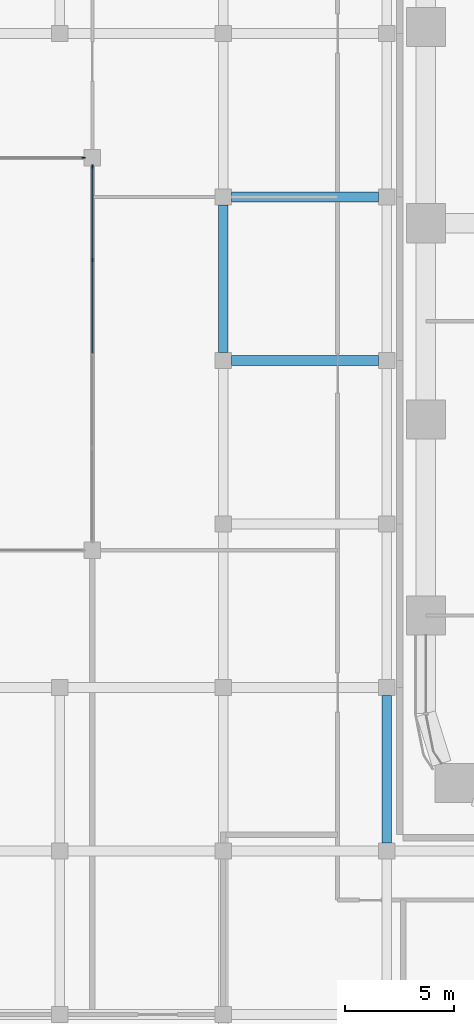
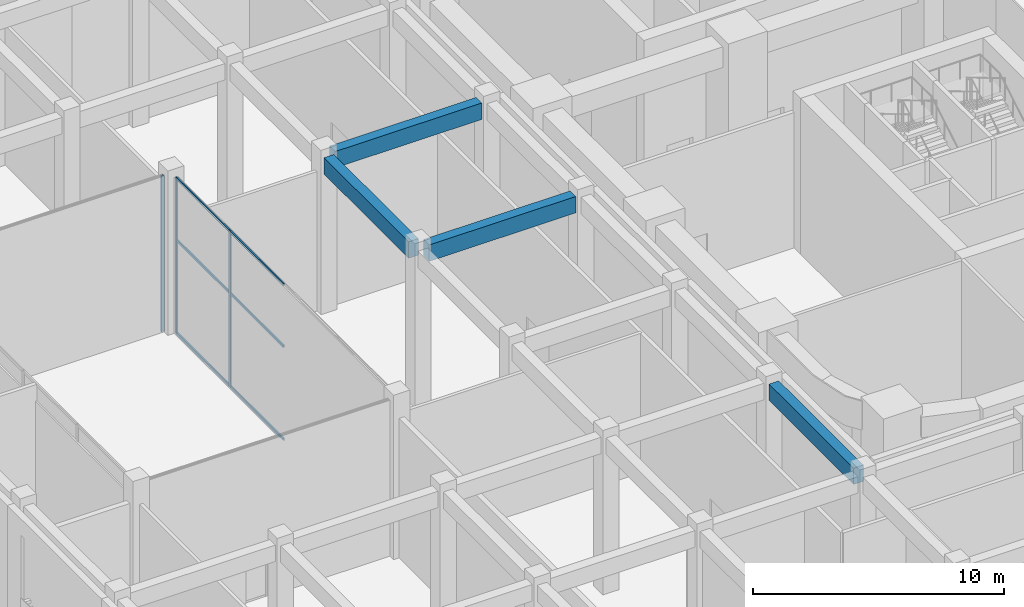
# One storey, part 10 of 64: 9 members, 4 beams, 2 elements without a shape of their own.
"""IFC4 building model written with IfcOpenShell, lengths in metres."""

import ifcopenshell
import ifcopenshell.guid

model = None  # the IFC model being written
_history = None  # IfcOwnerHistory: only IFC2X3 demands one
_inside = {}  # id of a spatial element -> (the spatial element, [elements in it])
_under = {}  # id of a project, library or spatial element -> (it, [spatial elements below it])
_declared = {}  # id of a project -> (the project, [libraries it declares])
_typed = {}  # id of a type object -> (the type object, [elements of that type])
_made_of = {}  # id of a material, layer set ... -> (it, [elements and type objects made of it])


def new_model(schema):
    """Start an empty IFC model of exactly this schema.

    Asked for "IFC4X3", IfcOpenShell would pick the latest addendum, in which some entities
    have other attributes; the version numbers below select the first issue.
    IFC2X3 requires an IfcOwnerHistory on every rooted entity: one is made here for all.
    """
    global model, _history
    if schema == "IFC4X3":
        model = ifcopenshell.file(schema_version=(4, 3, 0, 0))
    else:
        model = ifcopenshell.file(schema=schema)
    _inside.clear()
    _under.clear()
    _declared.clear()
    _typed.clear()
    _made_of.clear()
    _history = None
    if model.schema == "IFC2X3":
        org = make("IfcOrganization", Name="unknown")
        user = make(
            "IfcPersonAndOrganization",
            ThePerson=make("IfcPerson", FamilyName="unknown"),
            TheOrganization=org,
        )
        app = make(
            "IfcApplication",
            ApplicationDeveloper=org,
            Version="unknown",
            ApplicationFullName="unknown",
            ApplicationIdentifier="unknown",
        )
        _history = make(
            "IfcOwnerHistory",
            OwningUser=user,
            OwningApplication=app,
            ChangeAction="ADDED",
            CreationDate=0,
        )
    return model


def make(cls, **values):
    """One entity of the class cls with the attributes given. An attribute that is None is left unset."""
    return model.create_entity(
        cls, **{name: value for name, value in values.items() if value is not None}
    )


def rooted(cls, **values):
    """An entity with a GlobalId (a new one), such as an element, a storey or a relation."""
    return make(cls, GlobalId=ifcopenshell.guid.new(), OwnerHistory=_history, **values)


def si_unit(unit_type, name, prefix=None):
    """IfcSIUnit, for example si_unit("LENGTHUNIT", "METRE", prefix="MILLI")."""
    return make("IfcSIUnit", UnitType=unit_type, Prefix=prefix, Name=name)


def assignment(units):
    """IfcUnitAssignment: the units of a project."""
    return None if units is None else make("IfcUnitAssignment", Units=units)


def point(xyz):
    """IfcCartesianPoint."""
    return None if xyz is None else make("IfcCartesianPoint", Coordinates=xyz)


def direction(xyz):
    """IfcDirection."""
    return None if xyz is None else make("IfcDirection", DirectionRatios=xyz)


def frame(location, z_axis=None, x_axis=None):
    """IfcAxis2Placement3D, a coordinate frame: its origin and axes. An axis left out is left unset."""
    return make(
        "IfcAxis2Placement3D",
        Location=point(location),
        Axis=direction(z_axis),
        RefDirection=direction(x_axis),
    )


def frame_2d(location, x_axis=None):
    """IfcAxis2Placement2D, a coordinate frame in the plane: its origin and x axis."""
    return make(
        "IfcAxis2Placement2D", Location=point(location), RefDirection=direction(x_axis)
    )


def origin():
    """The frame at (0, 0, 0) with its axes left unset."""
    return frame((0.0, 0.0, 0.0))


def origin_2d():
    """The frame at (0, 0) in the plane with its x axis left unset."""
    return frame_2d((0.0, 0.0))


def place(relative_to, where):
    """IfcLocalPlacement: puts the frame where relative to a parent placement (None: the world)."""
    return make(
        "IfcLocalPlacement", PlacementRelTo=relative_to, RelativePlacement=where
    )


def context(
    kind, dimensions, precision=None, world=None, true_north=None, identifier=None
):
    """IfcGeometricRepresentationContext, for example the 3D "Model" context."""
    return make(
        "IfcGeometricRepresentationContext",
        ContextIdentifier=identifier,
        ContextType=kind,
        CoordinateSpaceDimension=dimensions,
        Precision=precision,
        WorldCoordinateSystem=world,
        TrueNorth=true_north,
    )


def subcontext(parent, identifier, kind, view, scale=None):
    """IfcGeometricRepresentationSubContext, for example "Body" below "Model"."""
    return make(
        "IfcGeometricRepresentationSubContext",
        ContextIdentifier=identifier,
        ContextType=kind,
        ParentContext=parent,
        TargetScale=scale,
        TargetView=view,
    )


def project(units=None, contexts=None):
    """IfcProject with its units and contexts."""
    return rooted(
        "IfcProject",
        Name="project",
        RepresentationContexts=contexts,
        UnitsInContext=assignment(units),
    )


def spatial(cls, under=None, at=None, **own):
    """A site, building, storey or space (cls), placed at a placement, below another one or the project."""
    s = rooted(cls, ObjectPlacement=at, **own)
    if under is not None:
        _under.setdefault(under.id(), (under, []))[1].append(s)
    return s


def profile(cls, at=None, kind="AREA", **sizes):
    """A parametric profile (cls). Its sizes go by their IFC names, for example OverallWidth=200.0."""
    return make(cls, ProfileType=kind, Position=at, **sizes)


def rectangle(**sizes):
    """IfcRectangleProfileDef."""
    return profile("IfcRectangleProfileDef", **sizes)


def extrude(swept, where, along, depth):
    """IfcExtrudedAreaSolid: the profile swept, set in the frame where, extruded along a direction by depth."""
    return make(
        "IfcExtrudedAreaSolid",
        SweptArea=swept,
        Position=where,
        ExtrudedDirection=direction(along),
        Depth=depth,
    )


def shape(context_of_items, identifier, shape_type, items):
    """IfcShapeRepresentation: the items that make up one representation, for example the "Body"."""
    return make(
        "IfcShapeRepresentation",
        ContextOfItems=context_of_items,
        RepresentationIdentifier=identifier,
        RepresentationType=shape_type,
        Items=items,
    )


def material(Name=None, Category=None):
    """IfcMaterial."""
    return make("IfcMaterial", Name=Name, Category=Category)


def layer(
    of_material, thickness, ventilated=None, Name=None, Category=None, Priority=None
):
    """IfcMaterialLayer: one layer of a wall or slab, of a material (None: an air gap)."""
    return make(
        "IfcMaterialLayer",
        Material=of_material,
        LayerThickness=thickness,
        IsVentilated=ventilated,
        Name=Name,
        Category=Category,
        Priority=Priority,
    )


def layer_set(layers, Name=None):
    """IfcMaterialLayerSet."""
    return make("IfcMaterialLayerSet", MaterialLayers=layers, LayerSetName=Name)


def material_profile(
    of_material, cross_section, Name=None, Category=None, Priority=None
):
    """IfcMaterialProfile: a cross section and its material."""
    return make(
        "IfcMaterialProfile",
        Name=Name,
        Material=of_material,
        Profile=cross_section,
        Priority=Priority,
        Category=Category,
    )


def profile_set(profiles, Name=None, composite=None):
    """IfcMaterialProfileSet."""
    return make(
        "IfcMaterialProfileSet",
        Name=Name,
        MaterialProfiles=profiles,
        CompositeProfile=composite,
    )


def made_of(thing, what):
    """Note that an element or type object is made of a material, layer set ...; save() writes the relation."""
    if what is not None:
        _made_of.setdefault(what.id(), (what, []))[1].append(thing)
    return thing


def type_object(cls, material=None, **own):
    """A type object (cls), such as IfcWallType, which elements share."""
    return made_of(rooted(cls, **own), material)


def element(
    cls,
    number,
    at=None,
    inside=None,
    cuts=None,
    type_object=None,
    material=None,
    context=None,
    identifier="Body",
    shape_type=None,
    held_by="IfcProductDefinitionShape",
    body=None,
    shapes=None,
    **own,
):
    """One element of the class cls, such as IfcWall. Its Tag is "e" and its number.

    at: its placement. inside: the storey or other place that contains it. cuts: it is an
    opening in that element (IfcRelVoidsElement). A single representation is given by context,
    identifier, shape_type and body (its items); several are given by shapes. held_by: the class
    of the entity that holds the representations. save() writes the other relations.
    """
    e = rooted(cls, Tag="e%d" % number, ObjectPlacement=at, **own)
    if body is not None:
        shapes = [shape(context, identifier, shape_type, body)]
    if shapes is not None:
        e.Representation = make(held_by, Representations=shapes)
    if inside is not None:
        _inside.setdefault(inside.id(), (inside, []))[1].append(e)
    if cuts is not None:
        rooted(
            "IfcRelVoidsElement", RelatingBuildingElement=cuts, RelatedOpeningElement=e
        )
    if type_object is not None:
        _typed.setdefault(type_object.id(), (type_object, []))[1].append(e)
    return made_of(e, material)


def aggregate(whole, parts):
    """IfcRelAggregates: a whole, such as a stair, and the parts it consists of."""
    return rooted("IfcRelAggregates", RelatingObject=whole, RelatedObjects=parts)


def save(model, path):
    """Write the relations noted so far, then the file.

    IfcRelAggregates (storeys below a building ...), IfcRelContainedInSpatialStructure (elements
    in a storey), IfcRelDefinesByType, IfcRelAssociatesMaterial and IfcRelDeclares: one each for
    every whole, place, type object, material and project.
    """
    for whole, parts in _under.values():
        aggregate(whole, parts)
    for where, things in _inside.values():
        rooted(
            "IfcRelContainedInSpatialStructure",
            RelatedElements=things,
            RelatingStructure=where,
        )
    for kind, things in _typed.values():
        rooted("IfcRelDefinesByType", RelatedObjects=things, RelatingType=kind)
    for what, things in _made_of.values():
        rooted("IfcRelAssociatesMaterial", RelatedObjects=things, RelatingMaterial=what)
    for by, libraries in _declared.values():
        rooted("IfcRelDeclares", RelatingContext=by, RelatedDefinitions=libraries)
    model.write(path)


model = new_model("IFC4")

# Units and contexts
model_context = context("Model", 3, precision=1e-05, world=origin(), true_north=direction((0.0, 1.0)))
body_context = subcontext(model_context, "Body", "Model", "MODEL_VIEW")
ifc_project = project(units=[si_unit("LENGTHUNIT", "METRE"), si_unit("AREAUNIT", "SQUARE_METRE"), si_unit("VOLUMEUNIT", "CUBIC_METRE"), si_unit("PLANEANGLEUNIT", "RADIAN"), si_unit("MASSUNIT", "GRAM", prefix="KILO")], contexts=[model_context])

# Site, building, storey
site_placement = place(None, origin())
site = spatial("IfcSite", under=ifc_project, at=site_placement, CompositionType="ELEMENT")
building_placement = place(site_placement, origin())
building = spatial("IfcBuilding", under=site, at=building_placement, Name="Tessera Arch", CompositionType="ELEMENT")
storey_placement = place(building_placement, origin())
storey = spatial("IfcBuildingStorey", under=building, at=storey_placement, Name="L00", CompositionType="ELEMENT", Elevation=0.0)

# Curtain wall, members
ifc_material_1 = material(Name="Aluminium and clear glass", Category="aluminium")
ifc_layer = layer(ifc_material_1, 0.1201171875)
ifc_layer_set = layer_set([ifc_layer], Name="Courtyard curtain wall")
curtain_wall_type = type_object("IfcCurtainWallType", Name="Courtyard curtain wall", PredefinedType="NOTDEFINED", material=ifc_layer_set)
curtain_wall_1_placement = place(storey_placement, origin())
curtain_wall_1 = element("IfcCurtainWall", 1, at=curtain_wall_1_placement, inside=storey, type_object=curtain_wall_type, Name="Courtyard curtain wall L00 2", PredefinedType="NOTDEFINED")
ifc_material_2 = material(Name="Aluminium alloy anodised", Category="aluminium")
ifc_material_profile_1 = material_profile(ifc_material_2, rectangle(XDim=0.06005859375, YDim=0.14990234375, at=origin_2d()), Name="Courtyard mullion")
ifc_profile_set_1 = profile_set([ifc_material_profile_1], Name="Aluminium alloy anodised")
member_type_1 = type_object("IfcMemberType", Name="Courtyard mullion", PredefinedType="MULLION", material=ifc_profile_set_1)
member_1_placement = place(storey_placement, frame((-15.300048828125, 25.3125, 0.0), z_axis=(0.0, 0.0, 1.0), x_axis=(-1.0, 0.0, 0.0)))
member_1 = element("IfcMember", 2, at=member_1_placement, type_object=member_type_1, Name="MCW1 mullion 4", PredefinedType="MULLION", context=body_context, shape_type="SweptSolid", body=[
    extrude(rectangle(XDim=0.06005859375, YDim=0.14990234375, at=origin_2d()), origin(), (0.0, 0.0, 1.0), 7.590087890625),
])
member_2_placement = place(storey_placement, frame((-15.300048828125, 29.594970703125, 0.0), z_axis=(0.0, 0.0, 1.0), x_axis=(-1.0, 0.0, 0.0)))
member_2 = element("IfcMember", 3, at=member_2_placement, type_object=member_type_1, Name="MCW1 mullion 5", PredefinedType="MULLION", context=body_context, shape_type="SweptSolid", body=[
    extrude(rectangle(XDim=0.06005859375, YDim=0.14990234375, at=origin_2d()), origin(), (0.0, 0.0, 1.0), 7.590087890625),
])

# Curtain wall, member
curtain_wall_2_placement = place(storey_placement, origin())
curtain_wall_2 = element("IfcCurtainWall", 4, at=curtain_wall_2_placement, inside=storey, type_object=curtain_wall_type, Name="Courtyard curtain wall L00 3", PredefinedType="NOTDEFINED")
member_3_placement = place(storey_placement, frame((-15.705078125, 30.0, 0.0), z_axis=(0.0, 0.0, 1.0), x_axis=(0.0, -1.0, 0.0)))
member_3 = element("IfcMember", 5, at=member_3_placement, type_object=member_type_1, Name="MCW1 mullion 1", PredefinedType="MULLION", context=body_context, shape_type="SweptSolid", body=[
    extrude(rectangle(XDim=0.06005859375, YDim=0.14990234375, at=origin_2d()), origin(), (0.0, 0.0, 1.0), 7.590087890625),
])
aggregate(curtain_wall_2, [member_3])

# Member
ifc_material_3 = material(Name="Aluminium alloy anodised", Category="aluminium")
ifc_material_profile_2 = material_profile(ifc_material_3, rectangle(XDim=0.06005859375, YDim=0.1201171875, at=origin_2d()), Name="Courtyard transom")
ifc_profile_set_2 = profile_set([ifc_material_profile_2], Name="Aluminium alloy anodised")
member_type_2 = type_object("IfcMemberType", Name="Courtyard transom", PredefinedType="USERDEFINED", material=ifc_profile_set_2)
member_4_placement = place(storey_placement, frame((-15.300048828125, 21.030029296875, 0.030029296875), z_axis=(0.0, 1.0, 0.0), x_axis=(-1.0, 0.0, 0.0)))
member_4 = element("IfcMember", 6, at=member_4_placement, type_object=member_type_2, Name="MCW1 transom 3.1", ObjectType="TRANSOM", PredefinedType="USERDEFINED", context=body_context, shape_type="SweptSolid", body=[
    extrude(rectangle(XDim=0.06005859375, YDim=0.1201171875, at=origin_2d()), origin(), (0.0, 0.0, 1.0), 4.25244140625),
])

member_5_placement = place(storey_placement, frame((-15.300048828125, 21.030029296875, 4.553955078125), z_axis=(0.0, 1.0, 0.0), x_axis=(-1.0, 0.0, 0.0)))
member_5 = element("IfcMember", 7, at=member_5_placement, type_object=member_type_2, Name="MCW1 transom 3.2", ObjectType="TRANSOM", PredefinedType="USERDEFINED", context=body_context, shape_type="SweptSolid", body=[
    extrude(rectangle(XDim=0.06005859375, YDim=0.1201171875, at=origin_2d()), origin(), (0.0, 0.0, 1.0), 4.25244140625),
])

member_6_placement = place(storey_placement, frame((-15.300048828125, 21.030029296875, 7.56005859375), z_axis=(0.0, 1.0, 0.0), x_axis=(-1.0, 0.0, 0.0)))
member_6 = element("IfcMember", 8, at=member_6_placement, type_object=member_type_2, Name="MCW1 transom 3.3", ObjectType="TRANSOM", PredefinedType="USERDEFINED", context=body_context, shape_type="SweptSolid", body=[
    extrude(rectangle(XDim=0.06005859375, YDim=0.1201171875, at=origin_2d()), origin(), (0.0, 0.0, 1.0), 4.25244140625),
])

member_7_placement = place(storey_placement, frame((-15.300048828125, 25.342529296875, 0.030029296875), z_axis=(0.0, 1.0, 0.0), x_axis=(-1.0, 0.0, 0.0)))
member_7 = element("IfcMember", 9, at=member_7_placement, type_object=member_type_2, Name="MCW1 transom 4.1", ObjectType="TRANSOM", PredefinedType="USERDEFINED", context=body_context, shape_type="SweptSolid", body=[
    extrude(rectangle(XDim=0.06005859375, YDim=0.1201171875, at=origin_2d()), origin(), (0.0, 0.0, 1.0), 4.222412109375),
])

member_8_placement = place(storey_placement, frame((-15.300048828125, 25.342529296875, 4.553955078125), z_axis=(0.0, 1.0, 0.0), x_axis=(-1.0, 0.0, 0.0)))
member_8 = element("IfcMember", 10, at=member_8_placement, type_object=member_type_2, Name="MCW1 transom 4.2", ObjectType="TRANSOM", PredefinedType="USERDEFINED", context=body_context, shape_type="SweptSolid", body=[
    extrude(rectangle(XDim=0.06005859375, YDim=0.1201171875, at=origin_2d()), origin(), (0.0, 0.0, 1.0), 4.222412109375),
])

member_9_placement = place(storey_placement, frame((-15.300048828125, 25.342529296875, 7.56005859375), z_axis=(0.0, 1.0, 0.0), x_axis=(-1.0, 0.0, 0.0)))
member_9 = element("IfcMember", 11, at=member_9_placement, type_object=member_type_2, Name="MCW1 transom 4.3", ObjectType="TRANSOM", PredefinedType="USERDEFINED", context=body_context, shape_type="SweptSolid", body=[
    extrude(rectangle(XDim=0.06005859375, YDim=0.1201171875, at=origin_2d()), origin(), (0.0, 0.0, 1.0), 4.222412109375),
])

aggregate(curtain_wall_1, [member_1, member_2, member_4, member_5, member_6, member_7, member_8, member_9])

# Beams
ifc_material_4 = material(Name="Concrete C40/50", Category="concrete")
ifc_material_profile_3 = material_profile(ifc_material_4, rectangle(XDim=0.449951171875, YDim=0.800048828125, at=origin_2d()), Name="Museum beam 450 x 800 Concrete C40/50")
ifc_profile_set_3 = profile_set([ifc_material_profile_3], Name="Concrete C40/50")
beam_type = type_object("IfcBeamType", Name="Museum beam 450 x 800 Concrete C40/50", PredefinedType="BEAM", material=ifc_profile_set_3)
for number, where, z_axis, x_axis, name in (
    (12, (-9.300048828125, 21.074951171875, 7.18994140625), (0.0, 1.0, 0.0), (-1.0, 0.0, 0.0), "Museum beam L00 29"),
    (13, (-1.800048828125, -1.425048828125, 7.18994140625), (0.0, 1.0, 0.0), (-1.0, 0.0, 0.0), "Museum beam L00 38"),
    (14, (-8.925048828125, 20.699951171875, 7.18994140625), (1.0, 0.0, 0.0), (0.0, 1.0, 0.0), "Museum beam L00 74"),
    (15, (-8.925048828125, 28.199951171875, 7.18994140625), (1.0, 0.0, 0.0), (0.0, 1.0, 0.0), "Museum beam L00 75"),
):
    element("IfcBeam", number, at=place(storey_placement, frame(where, z_axis=z_axis, x_axis=x_axis)), inside=storey, type_object=beam_type, Name=name, PredefinedType="BEAM", context=body_context, shape_type="SweptSolid", body=[
        extrude(rectangle(XDim=0.449951171875, YDim=0.800048828125, at=origin_2d()), origin(), (0.0, 0.0, 1.0), 6.75),
    ])

save(model, "model.ifc")
